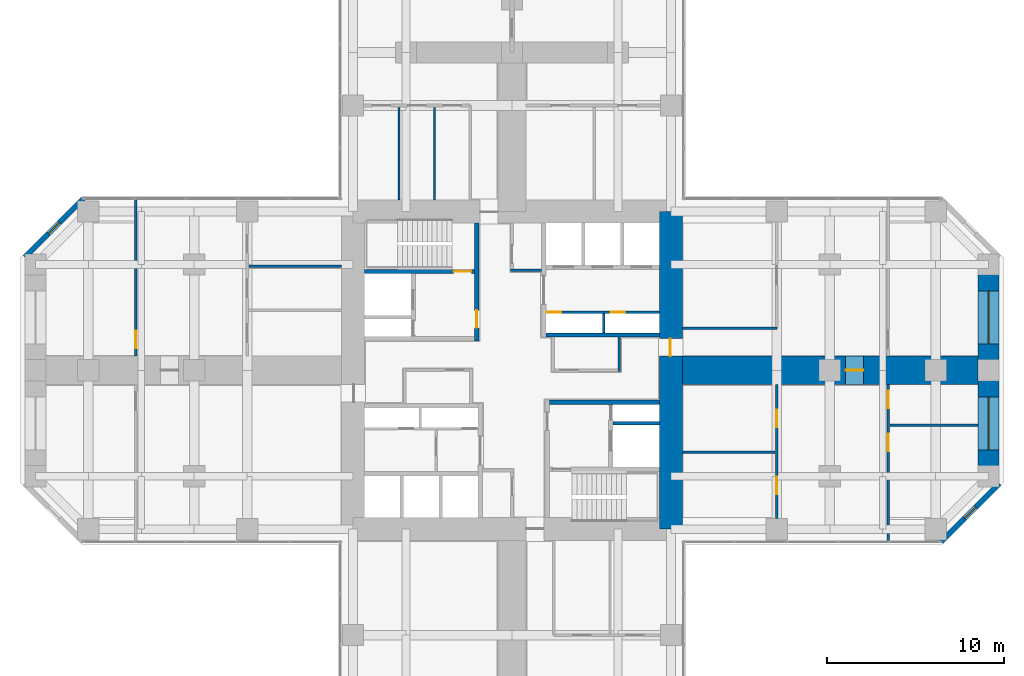
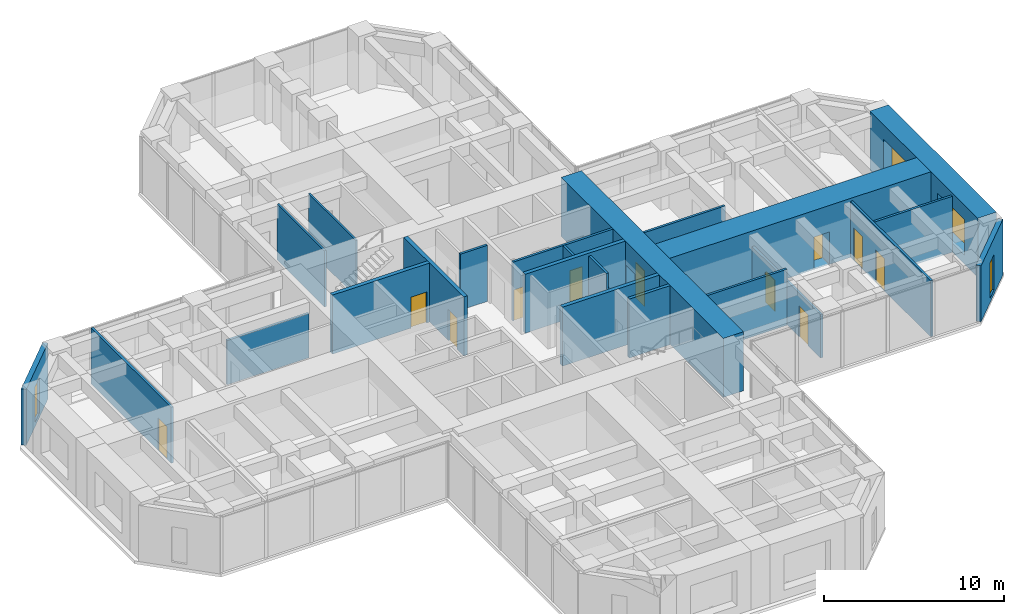
# One storey, part 10 of 13: 23 walls, 11 doors, 4 windows, 15 openings.
"""IFC4 building model written with IfcOpenShell, lengths in metres."""

from ifc_helpers import new_model, si_unit, direction, frame, frame_2d, origin, place, context, subcontext, project, spatial, rectangle, hollow_rectangle, extrude, material, layer, layer_set, constituent, constituent_set, type_object, element, fill, save


model = new_model("IFC4")

# Units and contexts
model_context = context("Model", 3, precision=1e-05, world=origin(), true_north=direction((0.0, 1.0)))
body_context = subcontext(model_context, "Body", "Model", "MODEL_VIEW")
ifc_project = project(units=[si_unit("LENGTHUNIT", "METRE"), si_unit("AREAUNIT", "SQUARE_METRE"), si_unit("VOLUMEUNIT", "CUBIC_METRE"), si_unit("PLANEANGLEUNIT", "RADIAN"), si_unit("MASSUNIT", "GRAM", prefix="KILO")], contexts=[model_context])

# Site, building, storey
site_placement = place(None, origin())
site = spatial("IfcSite", under=ifc_project, at=site_placement, CompositionType="ELEMENT")
building_placement = place(site_placement, origin())
building = spatial("IfcBuilding", under=site, at=building_placement, Name="Torre Cruceta", CompositionType="ELEMENT")
storey_placement = place(building_placement, frame((0.0, 0.0, 31.5)))
storey = spatial("IfcBuildingStorey", under=building, at=storey_placement, Name="L07", CompositionType="ELEMENT", Elevation=31.5)

# Wall
ifc_material_1 = material(Name="Concrete G60 (fck 60 MPa)", Category="concrete")
ifc_layer_1 = layer(ifc_material_1, 0.25)
ifc_layer_set_1 = layer_set([ifc_layer_1], Name="Concrete G60 (fck 60 MPa)")
wall_type_1 = type_object("IfcWallType", Name="CORE INNER WALL 250 G60", PredefinedType="SHEAR", material=ifc_layer_set_1)
wall_1_placement = place(storey_placement, frame((1.925048828125, 2.0, 0.0), z_axis=(0.0, 0.0, 1.0), x_axis=(1.0, 0.0, 0.0)))
element("IfcWall", 1, at=wall_1_placement, inside=storey, type_object=wall_type_1, Name="CW4 L07 NE-CV", PredefinedType="SHEAR", context=body_context, shape_type="SweptSolid", body=[
    extrude(rectangle(XDim=6.425048828125, YDim=0.25, at=frame_2d((3.21240234375, 0.0))), origin(), (0.0, 0.0, 1.0), 4.0),
])

# Wall, opening, door
wall_2_placement = place(storey_placement, frame((-2.0, 1.675048828125, 0.0), z_axis=(0.0, 0.0, 1.0), x_axis=(0.0, 1.0, 0.0)))
wall_2 = element("IfcWall", 2, at=wall_2_placement, inside=storey, type_object=wall_type_1, Name="CW4 L07 NW-CU", PredefinedType="SHEAR", context=body_context, shape_type="SweptSolid", body=[
    extrude(rectangle(XDim=6.675048828125, YDim=0.25, at=frame_2d((3.33740234375, 0.0))), origin(), (0.0, 0.0, 1.0), 4.0),
])
opening_1_placement = place(wall_2_placement, frame((0.72509765625, 0.0, 0.0)))
opening_1 = element("IfcOpeningElement", 3, at=opening_1_placement, cuts=wall_2, Name="Opening D3", PredefinedType="OPENING", context=body_context, shape_type="SweptSolid", body=[
    extrude(rectangle(XDim=1.0, YDim=2.10009765625, at=frame_2d((0.5, 1.050048828125))), frame((0.0, 0.135009765625, 0.0), z_axis=(0.0, -1.0, 0.0), x_axis=(1.0, 0.0, 0.0)), (0.0, 0.0, 1.0), 0.27001953125),
])
ifc_material_2 = material(Name="Steel DX51D", Category="steel")
ifc_constituent_1 = constituent(ifc_material_2, Name="Leaf and frame")
ifc_material_3 = material(Name="Polyester powder coating", Category="paint")
ifc_constituent_2 = constituent(ifc_material_3, Name="Finish")
ifc_constituent_set_1 = constituent_set(constituents=[ifc_constituent_1, ifc_constituent_2], Name="Steel fire door")
door_type_1 = type_object("IfcDoorType", Name="FIRE DOOR 1000X2100", OperationType="SINGLE_SWING_LEFT", PredefinedType="DOOR", material=ifc_constituent_set_1)
door_1_placement = place(opening_1_placement, origin())
door_1 = element("IfcDoor", 4, at=door_1_placement, inside=storey, type_object=door_type_1, Name="D3 L07 NW-LOBBY", OperationType="SINGLE_SWING_LEFT", OverallHeight=2.10009765625, OverallWidth=1.0, PredefinedType="DOOR", context=body_context, shape_type="SweptSolid", body=[
    extrude(rectangle(XDim=1.0, YDim=2.10009765625, at=frame_2d((0.5, 1.050048828125))), frame((0.0, 0.02490234375, 0.0), z_axis=(0.0, -1.0, 0.0), x_axis=(1.0, 0.0, 0.0)), (0.0, 0.0, 1.0), 0.050048828125),
])
fill(opening_1, door_1)

wall_3_placement = place(storey_placement, frame((-2.125, 5.60009765625, 0.0), z_axis=(0.0, 0.0, 1.0), x_axis=(-1.0, 0.0, 0.0)))
wall_3 = element("IfcWall", 5, at=wall_3_placement, inside=storey, type_object=wall_type_1, Name="CW4 L07 NW-SV", PredefinedType="SHEAR", context=body_context, shape_type="SweptSolid", body=[
    extrude(rectangle(XDim=6.22509765625, YDim=0.25, at=frame_2d((3.112548828125, 0.0))), origin(), (0.0, 0.0, 1.0), 4.0),
])
opening_2_placement = place(wall_3_placement, frame((0.175048828125, 0.0, 0.0)))
opening_2 = element("IfcOpeningElement", 6, at=opening_2_placement, cuts=wall_3, Name="Opening D3", PredefinedType="OPENING", context=body_context, shape_type="SweptSolid", body=[
    extrude(rectangle(XDim=1.0, YDim=2.10009765625, at=frame_2d((0.5, 1.050048828125))), frame((0.0, 0.135009765625, 0.0), z_axis=(0.0, -1.0, 0.0), x_axis=(1.0, 0.0, 0.0)), (0.0, 0.0, 1.0), 0.27001953125),
])
door_2_placement = place(opening_2_placement, frame((1.0, 0.0, 0.0), z_axis=(0.0, 0.0, 1.0), x_axis=(-1.0, 0.0, 0.0)))
door_2 = element("IfcDoor", 7, at=door_2_placement, inside=storey, type_object=door_type_1, Name="D3 L07 NW-STAIR", OperationType="SINGLE_SWING_RIGHT", OverallHeight=2.10009765625, OverallWidth=1.0, PredefinedType="DOOR", context=body_context, shape_type="SweptSolid", body=[
    extrude(rectangle(XDim=1.0, YDim=2.10009765625, at=frame_2d((0.5, 1.050048828125))), frame((0.0, 0.025146484375, 0.0), z_axis=(0.0, -1.0, 0.0), x_axis=(1.0, 0.0, 0.0)), (0.0, 0.0, 1.0), 0.050048828125),
])
fill(opening_2, door_2)

# Wall
wall_4_placement = place(storey_placement, frame((2.125, -1.800048828125, 0.0), z_axis=(0.0, 0.0, 1.0), x_axis=(1.0, 0.0, 0.0)))
element("IfcWall", 8, at=wall_4_placement, inside=storey, type_object=wall_type_1, Name="CW4 L07 SE-CV", PredefinedType="SHEAR", context=body_context, shape_type="SweptSolid", body=[
    extrude(rectangle(XDim=6.22509765625, YDim=0.25, at=frame_2d((3.112548828125, 0.0))), origin(), (0.0, 0.0, 1.0), 4.0),
])

# Wall, opening, door
ifc_material_4 = material(Name="Concrete G60 (fck 60 MPa)", Category="concrete")
ifc_layer_2 = layer(ifc_material_4, 1.300048828125)
ifc_layer_set_2 = layer_set([ifc_layer_2], Name="Concrete G60 (fck 60 MPa)")
wall_type_2 = type_object("IfcWallType", Name="CORE WALL 1300 G60", PredefinedType="SHEAR", material=ifc_layer_set_2)
wall_5_placement = place(storey_placement, frame((9.0, -9.0, 0.0), z_axis=(0.0, 0.0, 1.0), x_axis=(0.0, 1.0, 0.0)))
wall_5 = element("IfcWall", 9, at=wall_5_placement, inside=storey, type_object=wall_type_2, Name="CW1 L07 CW-E", PredefinedType="SHEAR", context=body_context, shape_type="SweptSolid", body=[
    extrude(rectangle(XDim=18.0, YDim=1.300048828125, at=frame_2d((9.0, 0.0))), origin(), (0.0, 0.0, 1.0), 4.0),
])
opening_3_placement = place(wall_5_placement, frame((9.800048828125, 0.0, 0.0)))
opening_3 = element("IfcOpeningElement", 10, at=opening_3_placement, cuts=wall_5, Name="Opening D4", PredefinedType="OPENING", context=body_context, shape_type="SweptSolid", body=[
    extrude(rectangle(XDim=1.0, YDim=2.39990234375, at=frame_2d((0.5, 1.199951171875))), frame((0.0, 0.659912109375, 0.0), z_axis=(0.0, -1.0, 0.0), x_axis=(1.0, 0.0, 0.0)), (0.0, 0.0, 1.0), 1.320068359375),
])
ifc_material_5 = material(Name="Steel DX51D", Category="steel")
ifc_constituent_3 = constituent(ifc_material_5, Name="Leaf and frame")
ifc_material_6 = material(Name="Polyester powder coating", Category="paint")
ifc_constituent_4 = constituent(ifc_material_6, Name="Finish")
ifc_constituent_set_2 = constituent_set(constituents=[ifc_constituent_3, ifc_constituent_4], Name="Steel fire door")
door_type_2 = type_object("IfcDoorType", Name="CORE ARM DOOR 1000X2400", OperationType="SINGLE_SWING_RIGHT", PredefinedType="DOOR", material=ifc_constituent_set_2)
door_3_placement = place(opening_3_placement, frame((1.0, 0.0, 0.0), z_axis=(0.0, 0.0, 1.0), x_axis=(-1.0, 0.0, 0.0)))
door_3 = element("IfcDoor", 11, at=door_3_placement, inside=storey, type_object=door_type_2, Name="D4 L07 CW-E", OperationType="SINGLE_SWING_RIGHT", OverallHeight=2.39990234375, OverallWidth=1.0, PredefinedType="DOOR", context=body_context, shape_type="SweptSolid", body=[
    extrude(rectangle(XDim=1.0, YDim=2.39990234375, at=frame_2d((0.5, 1.199951171875))), frame((0.0, -0.005126953125, 0.0), z_axis=(0.0, -1.0, 0.0), x_axis=(1.0, 0.0, 0.0)), (0.0, 0.0, 1.0), 0.050048828125),
])
fill(opening_3, door_3)

# Wall, opening, window
ifc_material_7 = material(Name="Concrete G30 (fck 30 MPa)", Category="concrete")
ifc_layer_3 = layer(ifc_material_7, 0.300048828125)
ifc_layer_set_3 = layer_set([ifc_layer_3], Name="Concrete G30 (fck 30 MPa)")
wall_type_3 = type_object("IfcWallType", Name="EXPOSED CONCRETE FACADE WALL 300", PredefinedType="SOLIDWALL", material=ifc_layer_set_3)
wall_6_placement = place(storey_placement, frame((24.29833984375, -9.719970703125, 0.0), z_axis=(0.0, 0.0, 1.0), x_axis=(0.707106781187, 0.707106781187, 0.0)))
wall_6 = element("IfcWall", 12, at=wall_6_placement, inside=storey, type_object=wall_type_3, Name="EW1 facade wall L07 E chamfer 01", PredefinedType="SOLIDWALL", context=body_context, shape_type="SweptSolid", body=[
    extrude(rectangle(XDim=4.66943359375, YDim=0.300048828125, at=frame_2d((2.334716796875, 0.0))), origin(), (0.0, 0.0, 1.0), 3.800048828125),
])
opening_4_placement = place(wall_6_placement, frame((1.884765625, 0.0, 0.300048828125)))
opening_4 = element("IfcOpeningElement", 13, at=opening_4_placement, cuts=wall_6, Name="Opening WN5", PredefinedType="OPENING", context=body_context, shape_type="SweptSolid", body=[
    extrude(rectangle(XDim=0.89990234375, YDim=2.39990234375, at=frame_2d((0.449951171875, 1.199951171875))), frame((0.0, 0.159912109375, 0.0), z_axis=(0.0, -1.0, 0.0), x_axis=(1.0, 0.0, 0.0)), (0.0, 0.0, 1.0), 0.320068359375),
])
ifc_material_8 = material(Name="Aluminium window frame", Category="aluminium")
ifc_constituent_5 = constituent(ifc_material_8, Name="Frame")
ifc_material_9 = material(Name="Laminated insulating glass unit, low-iron clear", Category="glass")
ifc_constituent_6 = constituent(ifc_material_9, Name="Glazing")
ifc_constituent_set_3 = constituent_set(constituents=[ifc_constituent_5, ifc_constituent_6], Name="Aluminium window")
window_type_1 = type_object("IfcWindowType", Name="CHAMFER SLOT WINDOW 900X2400", PartitioningType="SINGLE_PANEL", PredefinedType="WINDOW", material=ifc_constituent_set_3)
window_1_placement = place(opening_4_placement, origin())
window_1 = element("IfcWindow", 14, at=window_1_placement, inside=storey, type_object=window_type_1, Name="WN5 L07 E 1", OverallHeight=2.39990234375, OverallWidth=0.89990234375, PartitioningType="SINGLE_PANEL", PredefinedType="WINDOW", context=body_context, shape_type="SweptSolid", body=[
    extrude(hollow_rectangle(XDim=0.89990234375, YDim=2.39990234375, WallThickness=0.06005859375, at=frame_2d((0.449951171875, 1.199951171875))), frame((0.0, 0.030029296875, 0.0), z_axis=(0.0, -1.0, 0.0), x_axis=(1.0, 0.0, 0.0)), (0.0, 0.0, 1.0), 0.06005859375),
    extrude(rectangle(XDim=0.77880859375, YDim=2.27880859375, at=frame_2d((0.449951171875, 1.199951171875))), frame((0.0, 0.030029296875, 0.0), z_axis=(0.0, -1.0, 0.0), x_axis=(1.0, 0.0, 0.0)), (0.0, 0.0, 1.0), 0.06005859375),
])
fill(opening_4, window_1)

wall_7_placement = place(storey_placement, frame((-24.29833984375, 9.719970703125, 0.0), z_axis=(0.0, 0.0, 1.0), x_axis=(-0.707106781187, -0.707106781187, 0.0)))
wall_7 = element("IfcWall", 15, at=wall_7_placement, inside=storey, type_object=wall_type_3, Name="EW1 facade wall L07 W chamfer 11", PredefinedType="SOLIDWALL", context=body_context, shape_type="SweptSolid", body=[
    extrude(rectangle(XDim=4.66943359375, YDim=0.300048828125, at=frame_2d((2.334716796875, 0.0))), origin(), (0.0, 0.0, 1.0), 3.800048828125),
])
opening_5_placement = place(wall_7_placement, frame((1.884765625, 0.0, 0.300048828125)))
opening_5 = element("IfcOpeningElement", 16, at=opening_5_placement, cuts=wall_7, Name="Opening WN5", PredefinedType="OPENING", context=body_context, shape_type="SweptSolid", body=[
    extrude(rectangle(XDim=0.89990234375, YDim=2.39990234375, at=frame_2d((0.449951171875, 1.199951171875))), frame((0.0, 0.159912109375, 0.0), z_axis=(0.0, -1.0, 0.0), x_axis=(1.0, 0.0, 0.0)), (0.0, 0.0, 1.0), 0.320068359375),
])
window_2_placement = place(opening_5_placement, origin())
window_2 = element("IfcWindow", 17, at=window_2_placement, inside=storey, type_object=window_type_1, Name="WN5 L07 W 1", OverallHeight=2.39990234375, OverallWidth=0.89990234375, PartitioningType="SINGLE_PANEL", PredefinedType="WINDOW", context=body_context, shape_type="SweptSolid", body=[
    extrude(hollow_rectangle(XDim=0.89990234375, YDim=2.39990234375, WallThickness=0.06005859375, at=frame_2d((0.449951171875, 1.199951171875))), frame((0.0, 0.030029296875, 0.0), z_axis=(0.0, -1.0, 0.0), x_axis=(1.0, 0.0, 0.0)), (0.0, 0.0, 1.0), 0.06005859375),
    extrude(rectangle(XDim=0.77880859375, YDim=2.27880859375, at=frame_2d((0.449951171875, 1.199951171875))), frame((0.0, 0.030029296875, 0.0), z_axis=(0.0, -1.0, 0.0), x_axis=(1.0, 0.0, 0.0)), (0.0, 0.0, 1.0), 0.06005859375),
])
fill(opening_5, window_2)

# Wall
ifc_material_10 = material(Name="Concrete G35 (fck 35 MPa)", Category="concrete")
ifc_layer_4 = layer(ifc_material_10, 0.199951171875)
ifc_layer_set_4 = layer_set([ifc_layer_4], Name="Concrete G35 (fck 35 MPa)")
wall_type_4 = type_object("IfcWallType", Name="LIFT SHAFT WALL 200", PredefinedType="PARTITIONING", material=ifc_layer_set_4)
wall_8_placement = place(storey_placement, frame((5.72509765625, -3.0, 0.0), z_axis=(0.0, 0.0, 1.0), x_axis=(1.0, 0.0, 0.0)))
element("IfcWall", 18, at=wall_8_placement, inside=storey, type_object=wall_type_4, Name="SW1 L07 SE-FR", PredefinedType="PARTITIONING", context=body_context, shape_type="SweptSolid", body=[
    extrude(rectangle(XDim=2.625, YDim=0.199951171875, at=frame_2d((1.3125, 0.0))), origin(), (0.0, 0.0, 1.0), 4.0),
])

# Wall, openings, windows
ifc_material_11 = material(Name="Concrete G60 (fck 60 MPa)", Category="concrete")
ifc_layer_5 = layer(ifc_material_11, 1.199951171875)
ifc_layer_set_5 = layer_set([ifc_layer_5], Name="Concrete G60 (fck 60 MPa)")
wall_type_5 = type_object("IfcWallType", Name="NOSE WALL 1200 G60", PredefinedType="SHEAR", material=ifc_layer_set_5)
wall_9_placement = place(storey_placement, frame((27.0, -6.0, 0.0), z_axis=(0.0, 0.0, 1.0), x_axis=(0.0, 1.0, 0.0)))
wall_9 = element("IfcWall", 19, at=wall_9_placement, inside=storey, type_object=wall_type_5, Name="NW1 nose wall L07 E", PredefinedType="SHEAR", context=body_context, shape_type="SweptSolid", body=[
    extrude(rectangle(XDim=12.0, YDim=1.199951171875, at=frame_2d((6.0, 0.0))), origin(), (0.0, 0.0, 1.0), 4.0),
])
opening_6_placement = place(wall_9_placement, frame((1.5, 0.0, 0.60009765625)))
opening_6 = element("IfcOpeningElement", 20, at=opening_6_placement, cuts=wall_9, Name="Opening WN6", PredefinedType="OPENING", context=body_context, shape_type="SweptSolid", body=[
    extrude(rectangle(XDim=3.0, YDim=2.39990234375, at=frame_2d((1.5, 1.199951171875))), frame((0.0, 0.60986328125, 0.0), z_axis=(0.0, -1.0, 0.0), x_axis=(1.0, 0.0, 0.0)), (0.0, 0.0, 1.0), 1.219970703125),
])
opening_7_placement = place(wall_9_placement, frame((7.5, 0.0, 0.60009765625)))
opening_7 = element("IfcOpeningElement", 21, at=opening_7_placement, cuts=wall_9, Name="Opening WN6", PredefinedType="OPENING", context=body_context, shape_type="SweptSolid", body=[
    extrude(rectangle(XDim=3.0, YDim=2.39990234375, at=frame_2d((1.5, 1.199951171875))), frame((0.0, 0.60986328125, 0.0), z_axis=(0.0, -1.0, 0.0), x_axis=(1.0, 0.0, 0.0)), (0.0, 0.0, 1.0), 1.219970703125),
])
ifc_material_12 = material(Name="Aluminium window frame", Category="aluminium")
ifc_constituent_7 = constituent(ifc_material_12, Name="Frame")
ifc_material_13 = material(Name="Laminated insulating glass unit, low-iron clear", Category="glass")
ifc_constituent_8 = constituent(ifc_material_13, Name="Glazing")
ifc_constituent_set_4 = constituent_set(constituents=[ifc_constituent_7, ifc_constituent_8], Name="Aluminium window")
window_type_2 = type_object("IfcWindowType", Name="NOSE WALL WINDOW 3000X2400", PartitioningType="SINGLE_PANEL", PredefinedType="WINDOW", material=ifc_constituent_set_4)
window_3_placement = place(opening_6_placement, origin())
window_3 = element("IfcWindow", 22, at=window_3_placement, inside=storey, type_object=window_type_2, Name="WN6 L07 E 1", OverallHeight=2.39990234375, OverallWidth=3.0, PartitioningType="SINGLE_PANEL", PredefinedType="WINDOW", context=body_context, shape_type="SweptSolid", body=[
    extrude(hollow_rectangle(XDim=3.0, YDim=2.39990234375, WallThickness=0.06005859375, at=frame_2d((1.5, 1.199951171875))), frame((0.0, 0.030029296875, 0.0), z_axis=(0.0, -1.0, 0.0), x_axis=(1.0, 0.0, 0.0)), (0.0, 0.0, 1.0), 0.06005859375),
    extrude(rectangle(XDim=2.87890625, YDim=2.27880859375, at=frame_2d((1.5, 1.199951171875))), frame((0.0, 0.030029296875, 0.0), z_axis=(0.0, -1.0, 0.0), x_axis=(1.0, 0.0, 0.0)), (0.0, 0.0, 1.0), 0.06005859375),
])
fill(opening_6, window_3)
window_4_placement = place(opening_7_placement, origin())
window_4 = element("IfcWindow", 23, at=window_4_placement, inside=storey, type_object=window_type_2, Name="WN6 L07 E 2", OverallHeight=2.39990234375, OverallWidth=3.0, PartitioningType="SINGLE_PANEL", PredefinedType="WINDOW", context=body_context, shape_type="SweptSolid", body=[
    extrude(hollow_rectangle(XDim=3.0, YDim=2.39990234375, WallThickness=0.06005859375, at=frame_2d((1.5, 1.199951171875))), frame((0.0, 0.030029296875, 0.0), z_axis=(0.0, -1.0, 0.0), x_axis=(1.0, 0.0, 0.0)), (0.0, 0.0, 1.0), 0.06005859375),
    extrude(rectangle(XDim=2.87890625, YDim=2.27880859375, at=frame_2d((1.5, 1.199951171875))), frame((0.0, 0.030029296875, 0.0), z_axis=(0.0, -1.0, 0.0), x_axis=(1.0, 0.0, 0.0)), (0.0, 0.0, 1.0), 0.06005859375),
])
fill(opening_7, window_4)

# Walls
ifc_material_14 = material(Name="Plasterboard on steel studs", Category="steel")
ifc_layer_6 = layer(ifc_material_14, 0.14990234375)
ifc_layer_set_6 = layer_set([ifc_layer_6], Name="Plasterboard on steel studs")
wall_type_6 = type_object("IfcWallType", Name="PARTITION 150", PredefinedType="PARTITIONING", material=ifc_layer_set_6)
wall_10_placement = place(storey_placement, frame((6.074951171875, -0.074951171875, 0.0), z_axis=(0.0, 0.0, 1.0), x_axis=(0.0, 1.0, 0.0)))
element("IfcWall", 24, at=wall_10_placement, inside=storey, type_object=wall_type_6, Name="PT1 L07-CORE-LEGE-N-W3", PredefinedType="PARTITIONING", context=body_context, shape_type="SweptSolid", body=[
    extrude(rectangle(XDim=1.949951171875, YDim=0.14990234375, at=frame_2d((0.97509765625, 0.0))), origin(), (0.0, 0.0, 1.0), 3.800048828125),
])
wall_11_placement = place(storey_placement, frame((1.675048828125, 5.675048828125, 0.0), z_axis=(0.0, 0.0, 1.0), x_axis=(-1.0, 0.0, 0.0)))
element("IfcWall", 25, at=wall_11_placement, inside=storey, type_object=wall_type_6, Name="PT1 L07-CORE-LEGN-E-W2", PredefinedType="PARTITIONING", context=body_context, shape_type="SweptSolid", body=[
    extrude(rectangle(XDim=1.75, YDim=0.14990234375, at=frame_2d((0.875, 0.0))), origin(), (0.0, 0.0, 1.0), 3.800048828125),
])
wall_12_placement = place(storey_placement, frame((9.64990234375, 2.375, 0.0), z_axis=(0.0, 0.0, 1.0), x_axis=(1.0, 0.0, 0.0)))
element("IfcWall", 26, at=wall_12_placement, inside=storey, type_object=wall_type_6, Name="PT1 L07-E-BSL", PredefinedType="PARTITIONING", context=body_context, shape_type="SweptSolid", body=[
    extrude(rectangle(XDim=5.35009765625, YDim=0.14990234375, at=frame_2d((2.675048828125, 0.0))), origin(), (0.0, 0.0, 1.0), 3.800048828125),
])

# Wall, openings, doors
wall_13_placement = place(storey_placement, frame((15.0, -8.39990234375, 0.0), z_axis=(0.0, 0.0, 1.0), x_axis=(0.0, 1.0, 0.0)))
wall_13 = element("IfcWall", 27, at=wall_13_placement, inside=storey, type_object=wall_type_6, Name="PT1 L07-E-BFR", PredefinedType="PARTITIONING", context=body_context, shape_type="SweptSolid", body=[
    extrude(rectangle(XDim=7.599853515625, YDim=0.14990234375, at=frame_2d((3.7998046875, 0.0))), origin(), (0.0, 0.0, 1.0), 2.949951171875),
])
opening_8_placement = place(wall_13_placement, frame((1.375, 0.0, 0.0)))
opening_8 = element("IfcOpeningElement", 28, at=opening_8_placement, cuts=wall_13, Name="Opening D3", PredefinedType="OPENING", context=body_context, shape_type="SweptSolid", body=[
    extrude(rectangle(XDim=1.0, YDim=2.10009765625, at=frame_2d((0.5, 1.050048828125))), frame((0.0, 0.0849609375, 0.0), z_axis=(0.0, -1.0, 0.0), x_axis=(1.0, 0.0, 0.0)), (0.0, 0.0, 1.0), 0.169921875),
])
opening_9_placement = place(wall_13_placement, frame((5.175048828125, 0.0, 0.0)))
opening_9 = element("IfcOpeningElement", 29, at=opening_9_placement, cuts=wall_13, Name="Opening D3", PredefinedType="OPENING", context=body_context, shape_type="SweptSolid", body=[
    extrude(rectangle(XDim=1.0, YDim=2.10009765625, at=frame_2d((0.5, 1.050048828125))), frame((0.0, 0.0849609375, 0.0), z_axis=(0.0, -1.0, 0.0), x_axis=(1.0, 0.0, 0.0)), (0.0, 0.0, 1.0), 0.169921875),
])
door_4_placement = place(opening_8_placement, origin())
door_4 = element("IfcDoor", 30, at=door_4_placement, inside=storey, type_object=door_type_1, Name="D3 L07-E-BFR-D1", OperationType="SINGLE_SWING_RIGHT", OverallHeight=2.10009765625, OverallWidth=1.0, PredefinedType="DOOR", context=body_context, shape_type="SweptSolid", body=[
    extrude(rectangle(XDim=1.0, YDim=2.10009765625, at=frame_2d((0.5, 1.050048828125))), frame((0.0, 0.02490234375, 0.0), z_axis=(0.0, -1.0, 0.0), x_axis=(1.0, 0.0, 0.0)), (0.0, 0.0, 1.0), 0.050048828125),
])
fill(opening_8, door_4)
door_5_placement = place(opening_9_placement, origin())
door_5 = element("IfcDoor", 31, at=door_5_placement, inside=storey, type_object=door_type_1, Name="D3 L07-E-BFR-D2", OperationType="SINGLE_SWING_LEFT", OverallHeight=2.10009765625, OverallWidth=1.0, PredefinedType="DOOR", context=body_context, shape_type="SweptSolid", body=[
    extrude(rectangle(XDim=1.0, YDim=2.10009765625, at=frame_2d((0.5, 1.050048828125))), frame((0.0, 0.02490234375, 0.0), z_axis=(0.0, -1.0, 0.0), x_axis=(1.0, 0.0, 0.0)), (0.0, 0.0, 1.0), 0.050048828125),
])
fill(opening_9, door_5)

# Walls
wall_14_placement = place(storey_placement, frame((9.64990234375, -4.64990234375, 0.0), z_axis=(0.0, 0.0, 1.0), x_axis=(1.0, 0.0, 0.0)))
element("IfcWall", 32, at=wall_14_placement, inside=storey, type_object=wall_type_6, Name="PT1 L07-E-BDR1", PredefinedType="PARTITIONING", context=body_context, shape_type="SweptSolid", body=[
    extrude(rectangle(XDim=5.25, YDim=0.14990234375, at=frame_2d((2.625, 0.0))), origin(), (0.0, 0.0, 1.0), 3.800048828125),
])
wall_15_placement = place(storey_placement, frame((21.419921875, -3.117919921875, 0.0), z_axis=(0.0, 0.0, 1.0), x_axis=(1.0, 0.0, 0.0)))
element("IfcWall", 33, at=wall_15_placement, inside=storey, type_object=wall_type_6, Name="PT1 L07-E-TDR", PredefinedType="PARTITIONING", context=body_context, shape_type="SweptSolid", body=[
    extrude(rectangle(XDim=4.97998046875, YDim=0.14990234375, at=frame_2d((2.489990234375, 0.0))), origin(), (0.0, 0.0, 1.0), 3.800048828125),
])

# Wall, openings, doors
wall_16_placement = place(storey_placement, frame((21.320068359375, -9.679931640625, 0.0), z_axis=(0.0, 0.0, 1.0), x_axis=(0.0, 1.0, 0.0)))
wall_16 = element("IfcWall", 34, at=wall_16_placement, inside=storey, type_object=wall_type_6, Name="PT1 L07-E-TWR", PredefinedType="PARTITIONING", context=body_context, shape_type="SweptSolid", body=[
    extrude(rectangle(XDim=8.8798828125, YDim=0.14990234375, at=frame_2d((4.43994140625, 0.0))), origin(), (0.0, 0.0, 1.0), 3.800048828125),
])
opening_10_placement = place(wall_16_placement, frame((5.0869140625, 0.0, 0.0)))
opening_10 = element("IfcOpeningElement", 35, at=opening_10_placement, cuts=wall_16, Name="Opening D14", PredefinedType="OPENING", context=body_context, shape_type="SweptSolid", body=[
    extrude(rectangle(XDim=1.0, YDim=2.199951171875, at=frame_2d((0.5, 1.10009765625))), frame((0.0, 0.0849609375, 0.0), z_axis=(0.0, -1.0, 0.0), x_axis=(1.0, 0.0, 0.0)), (0.0, 0.0, 1.0), 0.169921875),
])
opening_11_placement = place(wall_16_placement, frame((7.530029296875, 0.0, 0.0)))
opening_11 = element("IfcOpeningElement", 36, at=opening_11_placement, cuts=wall_16, Name="Opening D14", PredefinedType="OPENING", context=body_context, shape_type="SweptSolid", body=[
    extrude(rectangle(XDim=1.0, YDim=2.199951171875, at=frame_2d((0.5, 1.10009765625))), frame((0.0, 0.0849609375, 0.0), z_axis=(0.0, -1.0, 0.0), x_axis=(1.0, 0.0, 0.0)), (0.0, 0.0, 1.0), 0.169921875),
])
ifc_material_15 = material(Name="Steel DX51D", Category="steel")
ifc_constituent_9 = constituent(ifc_material_15, Name="Leaf and frame")
ifc_material_16 = material(Name="Polyester powder coating", Category="paint")
ifc_constituent_10 = constituent(ifc_material_16, Name="Finish")
ifc_material_17 = material(Name="Fire-resisting glass", Category="glass")
ifc_constituent_11 = constituent(ifc_material_17, Name="Vision panel")
ifc_constituent_set_5 = constituent_set(constituents=[ifc_constituent_9, ifc_constituent_10, ifc_constituent_11], Name="Steel fire door with vision panel")
door_type_3 = type_object("IfcDoorType", Name="FIRE DOOR VISION PANEL 1000X2200", OperationType="SINGLE_SWING_RIGHT", PredefinedType="DOOR", material=ifc_constituent_set_5)
door_6_placement = place(opening_10_placement, frame((1.0, 0.0, 0.0), z_axis=(0.0, 0.0, 1.0), x_axis=(-1.0, 0.0, 0.0)))
door_6 = element("IfcDoor", 37, at=door_6_placement, inside=storey, type_object=door_type_3, Name="D14 L07-E-TWR-D1", OperationType="SINGLE_SWING_LEFT", OverallHeight=2.199951171875, OverallWidth=1.0, PredefinedType="DOOR", context=body_context, shape_type="SweptSolid", body=[
    extrude(rectangle(XDim=1.0, YDim=2.199951171875, at=frame_2d((0.5, 1.10009765625))), frame((0.0, 0.025146484375, 0.0), z_axis=(0.0, -1.0, 0.0), x_axis=(1.0, 0.0, 0.0)), (0.0, 0.0, 1.0), 0.050048828125),
])
fill(opening_10, door_6)
door_7_placement = place(opening_11_placement, frame((1.0, 0.0, 0.0), z_axis=(0.0, 0.0, 1.0), x_axis=(-1.0, 0.0, 0.0)))
door_7 = element("IfcDoor", 38, at=door_7_placement, inside=storey, type_object=door_type_3, Name="D14 L07-E-TWR-D2", OperationType="SINGLE_SWING_LEFT", OverallHeight=2.199951171875, OverallWidth=1.0, PredefinedType="DOOR", context=body_context, shape_type="SweptSolid", body=[
    extrude(rectangle(XDim=1.0, YDim=2.199951171875, at=frame_2d((0.5, 1.10009765625))), frame((0.0, 0.025146484375, 0.0), z_axis=(0.0, -1.0, 0.0), x_axis=(1.0, 0.0, 0.0)), (0.0, 0.0, 1.0), 0.050048828125),
])
fill(opening_11, door_7)

# Wall
wall_17_placement = place(storey_placement, frame((-9.64990234375, 5.89990234375, 0.0), z_axis=(0.0, 0.0, 1.0), x_axis=(-1.0, 0.0, 0.0)))
element("IfcWall", 39, at=wall_17_placement, inside=storey, type_object=wall_type_6, Name="PT1 L07-W-BDR2", PredefinedType="PARTITIONING", context=body_context, shape_type="SweptSolid", body=[
    extrude(rectangle(XDim=5.25, YDim=0.14990234375, at=frame_2d((2.625, 0.0))), origin(), (0.0, 0.0, 1.0), 3.0),
])

# Wall, opening, door
wall_18_placement = place(storey_placement, frame((-21.320068359375, 9.679931640625, 0.0), z_axis=(0.0, 0.0, 1.0), x_axis=(0.0, -1.0, 0.0)))
wall_18 = element("IfcWall", 40, at=wall_18_placement, inside=storey, type_object=wall_type_6, Name="PT1 L07-W-TWR", PredefinedType="PARTITIONING", context=body_context, shape_type="SweptSolid", body=[
    extrude(rectangle(XDim=8.8798828125, YDim=0.14990234375, at=frame_2d((4.43994140625, 0.0))), origin(), (0.0, 0.0, 1.0), 3.800048828125),
])
opening_12_placement = place(wall_18_placement, frame((7.429931640625, 0.0, 0.0)))
opening_12 = element("IfcOpeningElement", 41, at=opening_12_placement, cuts=wall_18, Name="Opening D14", PredefinedType="OPENING", context=body_context, shape_type="SweptSolid", body=[
    extrude(rectangle(XDim=1.0, YDim=2.199951171875, at=frame_2d((0.5, 1.10009765625))), frame((0.0, 0.0849609375, 0.0), z_axis=(0.0, -1.0, 0.0), x_axis=(1.0, 0.0, 0.0)), (0.0, 0.0, 1.0), 0.169921875),
])
door_8_placement = place(opening_12_placement, frame((1.0, 0.0, 0.0), z_axis=(0.0, 0.0, 1.0), x_axis=(-1.0, 0.0, 0.0)))
door_8 = element("IfcDoor", 42, at=door_8_placement, inside=storey, type_object=door_type_3, Name="D14 L07-W-TWR-D1", OperationType="SINGLE_SWING_LEFT", OverallHeight=2.199951171875, OverallWidth=1.0, PredefinedType="DOOR", context=body_context, shape_type="SweptSolid", body=[
    extrude(rectangle(XDim=1.0, YDim=2.199951171875, at=frame_2d((0.5, 1.10009765625))), frame((0.0, 0.025146484375, 0.0), z_axis=(0.0, -1.0, 0.0), x_axis=(1.0, 0.0, 0.0)), (0.0, 0.0, 1.0), 0.050048828125),
])
fill(opening_12, door_8)

# Wall, openings, doors
ifc_material_18 = material(Name="Concrete block masonry", Category="masonry")
ifc_layer_7 = layer(ifc_material_18, 0.14990234375)
ifc_layer_set_7 = layer_set([ifc_layer_7], Name="Concrete block masonry")
wall_type_7 = type_object("IfcWallType", Name="RISER WALL 150", PredefinedType="PARTITIONING", material=ifc_layer_set_7)
wall_19_placement = place(storey_placement, frame((1.925048828125, 3.300048828125, 0.0), z_axis=(0.0, 0.0, 1.0), x_axis=(1.0, 0.0, 0.0)))
wall_19 = element("IfcWall", 43, at=wall_19_placement, inside=storey, type_object=wall_type_7, Name="SW7 L07 NE-RV", PredefinedType="PARTITIONING", context=body_context, shape_type="SweptSolid", body=[
    extrude(rectangle(XDim=6.425048828125, YDim=0.14990234375, at=frame_2d((3.21240234375, 0.0))), origin(), (0.0, 0.0, 1.0), 4.0),
])
opening_13_placement = place(wall_19_placement, frame((0.074951171875, 0.0, 0.0)))
opening_13 = element("IfcOpeningElement", 44, at=opening_13_placement, cuts=wall_19, Name="Opening D5", PredefinedType="OPENING", context=body_context, shape_type="SweptSolid", body=[
    extrude(rectangle(XDim=0.800048828125, YDim=2.10009765625, at=frame_2d((0.39990234375, 1.050048828125))), frame((0.0, 0.0849609375, 0.0), z_axis=(0.0, -1.0, 0.0), x_axis=(1.0, 0.0, 0.0)), (0.0, 0.0, 1.0), 0.169921875),
])
opening_14_placement = place(wall_19_placement, frame((3.675048828125, 0.0, 0.0)))
opening_14 = element("IfcOpeningElement", 45, at=opening_14_placement, cuts=wall_19, Name="Opening D5", PredefinedType="OPENING", context=body_context, shape_type="SweptSolid", body=[
    extrude(rectangle(XDim=0.800048828125, YDim=2.10009765625, at=frame_2d((0.39990234375, 1.050048828125))), frame((0.0, 0.0849609375, 0.0), z_axis=(0.0, -1.0, 0.0), x_axis=(1.0, 0.0, 0.0)), (0.0, 0.0, 1.0), 0.169921875),
])
ifc_material_19 = material(Name="Steel DX51D", Category="steel")
ifc_constituent_12 = constituent(ifc_material_19, Name="Leaf and frame")
ifc_material_20 = material(Name="Polyester powder coating", Category="paint")
ifc_constituent_13 = constituent(ifc_material_20, Name="Finish")
ifc_constituent_set_6 = constituent_set(constituents=[ifc_constituent_12, ifc_constituent_13], Name="Steel fire door")
door_type_4 = type_object("IfcDoorType", Name="RISER ACCESS DOOR 800X2100", OperationType="SINGLE_SWING_LEFT", PredefinedType="DOOR", material=ifc_constituent_set_6)
door_9_placement = place(opening_13_placement, frame((0.800048828125, 0.0, 0.0), z_axis=(0.0, 0.0, 1.0), x_axis=(-1.0, 0.0, 0.0)))
door_9 = element("IfcDoor", 46, at=door_9_placement, inside=storey, type_object=door_type_4, Name="D5 L07 NE-RISER1", OperationType="SINGLE_SWING_RIGHT", OverallHeight=2.10009765625, OverallWidth=0.800048828125, PredefinedType="DOOR", context=body_context, shape_type="SweptSolid", body=[
    extrude(rectangle(XDim=0.800048828125, YDim=2.10009765625, at=frame_2d((0.400146484375, 1.050048828125))), frame((0.0, 0.025146484375, 0.0), z_axis=(0.0, -1.0, 0.0), x_axis=(1.0, 0.0, 0.0)), (0.0, 0.0, 1.0), 0.050048828125),
])
fill(opening_13, door_9)
door_10_placement = place(opening_14_placement, frame((0.800048828125, 0.0, 0.0), z_axis=(0.0, 0.0, 1.0), x_axis=(-1.0, 0.0, 0.0)))
door_10 = element("IfcDoor", 47, at=door_10_placement, inside=storey, type_object=door_type_4, Name="D5 L07 NE-RISER2", OperationType="SINGLE_SWING_RIGHT", OverallHeight=2.10009765625, OverallWidth=0.800048828125, PredefinedType="DOOR", context=body_context, shape_type="SweptSolid", body=[
    extrude(rectangle(XDim=0.800048828125, YDim=2.10009765625, at=frame_2d((0.400146484375, 1.050048828125))), frame((0.0, 0.025146484375, 0.0), z_axis=(0.0, -1.0, 0.0), x_axis=(1.0, 0.0, 0.0)), (0.0, 0.0, 1.0), 0.050048828125),
])
fill(opening_14, door_10)

# Wall
wall_20_placement = place(storey_placement, frame((5.199951171875, 2.125, 0.0), z_axis=(0.0, 0.0, 1.0), x_axis=(0.0, 1.0, 0.0)))
element("IfcWall", 48, at=wall_20_placement, inside=storey, type_object=wall_type_7, Name="SW7 L07 NE-RU", PredefinedType="PARTITIONING", context=body_context, shape_type="SweptSolid", body=[
    extrude(rectangle(XDim=1.10009765625, YDim=0.14990234375, at=frame_2d((0.550048828125, 0.0))), origin(), (0.0, 0.0, 1.0), 4.0),
])

# Wall, opening, door
ifc_material_21 = material(Name="Concrete G60 (fck 60 MPa)", Category="concrete")
ifc_layer_8 = layer(ifc_material_21, 1.60009765625)
ifc_layer_set_8 = layer_set([ifc_layer_8], Name="Concrete G60 (fck 60 MPa)")
wall_type_8 = type_object("IfcWallType", Name="SPINE WALL 1600 G60", PredefinedType="SHEAR", material=ifc_layer_set_8)
wall_21_placement = place(storey_placement, frame((9.0, 0.0, 0.0), z_axis=(0.0, 0.0, 1.0), x_axis=(1.0, 0.0, 0.0)))
wall_21 = element("IfcWall", 49, at=wall_21_placement, inside=storey, type_object=wall_type_8, Name="SW2 spine wall L07 E", PredefinedType="SHEAR", context=body_context, shape_type="SweptSolid", body=[
    extrude(rectangle(XDim=18.0, YDim=1.60009765625, at=frame_2d((9.0, 0.0))), origin(), (0.0, 0.0, 1.0), 4.0),
])
opening_15_placement = place(wall_21_placement, frame((9.89990234375, 0.0, 0.0)))
opening_15 = element("IfcOpeningElement", 50, at=opening_15_placement, cuts=wall_21, Name="Opening D14", PredefinedType="OPENING", context=body_context, shape_type="SweptSolid", body=[
    extrude(rectangle(XDim=1.0, YDim=2.199951171875, at=frame_2d((0.5, 1.10009765625))), frame((0.0, 0.81005859375, 0.0), z_axis=(0.0, -1.0, 0.0), x_axis=(1.0, 0.0, 0.0)), (0.0, 0.0, 1.0), 1.6201171875),
])
door_11_placement = place(opening_15_placement, frame((1.0, 0.0, 0.0), z_axis=(0.0, 0.0, 1.0), x_axis=(-1.0, 0.0, 0.0)))
door_11 = element("IfcDoor", 51, at=door_11_placement, inside=storey, type_object=door_type_3, Name="D14 L07-E-SP1", OperationType="SINGLE_SWING_LEFT", OverallHeight=2.199951171875, OverallWidth=1.0, PredefinedType="DOOR", context=body_context, shape_type="SweptSolid", body=[
    extrude(rectangle(XDim=1.0, YDim=2.199951171875, at=frame_2d((0.5, 1.10009765625))), frame((0.0, 0.025146484375, 0.0), z_axis=(0.0, -1.0, 0.0), x_axis=(1.0, 0.0, 0.0)), (0.0, 0.0, 1.0), 0.050048828125),
])
fill(opening_15, door_11)

# Walls
ifc_material_22 = material(Name="Plasterboard on steel studs", Category="steel")
ifc_layer_9 = layer(ifc_material_22, 0.1201171875)
ifc_layer_set_9 = layer_set([ifc_layer_9], Name="Plasterboard on steel studs")
wall_type_9 = type_object("IfcWallType", Name="WC PARTITION 120", PredefinedType="PLUMBINGWALL", material=ifc_layer_set_9)
for number, where, z_axis, x_axis, name in (
    (52, (-4.38330078125, 9.64990234375, 0.0), (0.0, 0.0, 1.0), (0.0, 1.0, 0.0), "PT5 L07-N-BDL1"),
    (53, (-6.3916015625, 9.64990234375, 0.0), (0.0, 0.0, 1.0), (0.0, 1.0, 0.0), "PT5 L07-N-BDL2"),
):
    element("IfcWall", number, at=place(storey_placement, frame(where, z_axis=z_axis, x_axis=x_axis)), inside=storey, type_object=wall_type_9, Name=name, PredefinedType="PLUMBINGWALL", context=body_context, shape_type="SweptSolid", body=[
        extrude(rectangle(XDim=5.25, YDim=0.1201171875, at=frame_2d((2.625, 0.0))), origin(), (0.0, 0.0, 1.0), 3.800048828125),
    ])

save(model, "model.ifc")
